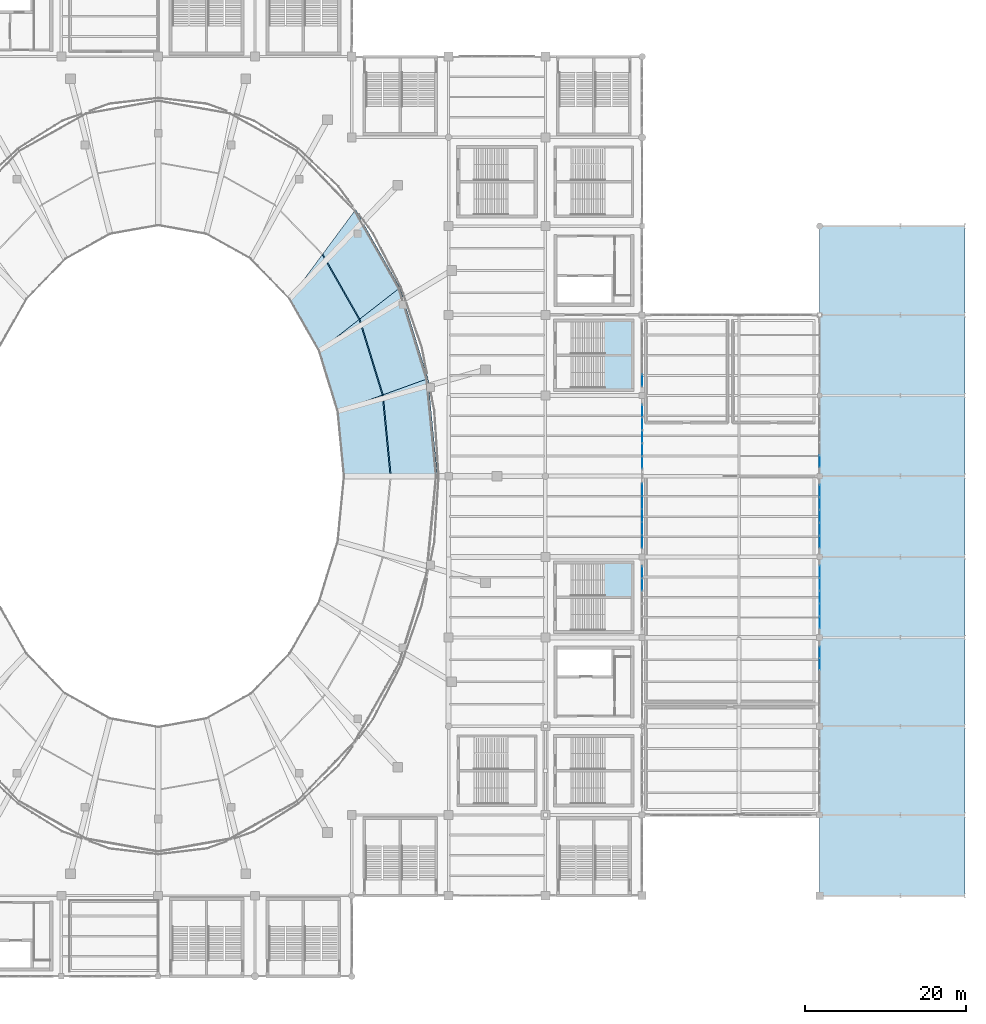
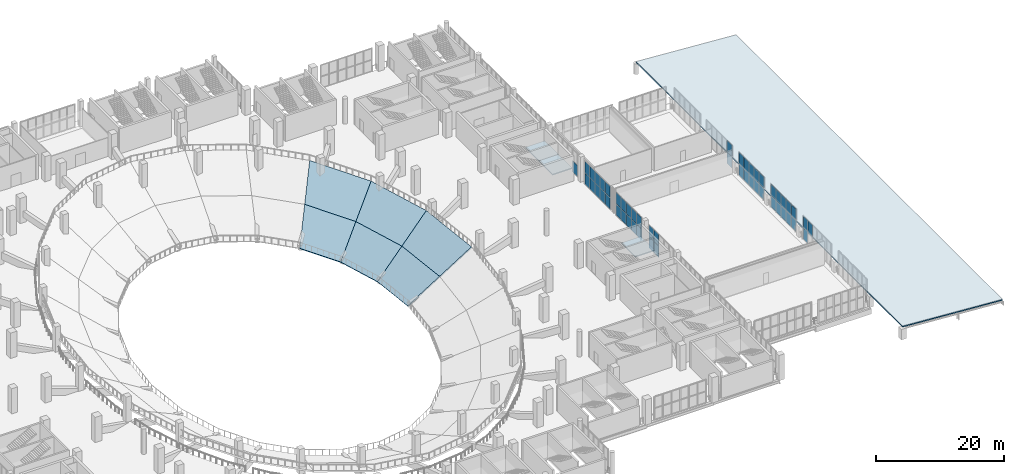
# One storey, part 102 of 136: 50 plates, 10 slabs, 11 elements without a shape of their own.
"""IFC4 building model written with IfcOpenShell, lengths in metres."""

from ifc_helpers import new_model, si_unit, direction, frame, origin, origin_2d, place, context, subcontext, project, spatial, polyline, rectangle, outline, extrude, material, layer, layer_set, type_object, element, aggregate, save


model = new_model("IFC4")

# Units and contexts
model_context = context("Model", 3, precision=1e-05, world=origin(), true_north=direction((0.0, 1.0)))
body_context = subcontext(model_context, "Body", "Model", "MODEL_VIEW")
ifc_project = project(units=[si_unit("LENGTHUNIT", "METRE"), si_unit("AREAUNIT", "SQUARE_METRE"), si_unit("VOLUMEUNIT", "CUBIC_METRE"), si_unit("PLANEANGLEUNIT", "RADIAN"), si_unit("MASSUNIT", "GRAM", prefix="KILO")], contexts=[model_context])

# Site, building, storey
site_placement = place(None, origin())
site = spatial("IfcSite", under=ifc_project, at=site_placement, CompositionType="ELEMENT")
building_placement = place(site_placement, origin())
building = spatial("IfcBuilding", under=site, at=building_placement, Name="Brinegate Civic Arena", CompositionType="ELEMENT")
storey_placement = place(building_placement, frame((0.0, 0.0, 5.39990234375)))
storey = spatial("IfcBuildingStorey", under=building, at=storey_placement, Name="L01", CompositionType="ELEMENT", Elevation=5.39990234375)

# Curtain wall, plates
ifc_material_1 = material(Name="Marine grade aluminium", Category="aluminium")
ifc_layer_1 = layer(ifc_material_1, 0.18505859375, Name="Marine grade aluminium")
ifc_layer_set_1 = layer_set([ifc_layer_1], Name="Marine grade aluminium")
curtain_wall_type_1 = type_object("IfcCurtainWallType", Name="CW-WING-GLAZED-03", PredefinedType="USERDEFINED", material=ifc_layer_set_1)
curtain_wall_1_placement = place(storey_placement, origin())
curtain_wall_1 = element("IfcCurtainWall", 1, at=curtain_wall_1_placement, inside=storey, type_object=curtain_wall_type_1, Name="Curtain Wall CWA-034", ObjectType="GLAZED CURTAIN WALL", PredefinedType="USERDEFINED")
ifc_material_2 = material(Name="Hurricane laminated low-E glass", Category="glass")
ifc_layer_2 = layer(ifc_material_2, 0.028076171875, Name="Hurricane laminated low-E glass")
ifc_layer_set_2 = layer_set([ifc_layer_2], Name="Hurricane laminated low-E glass")
plate_type_1 = type_object("IfcPlateType", Name="CW-PANEL-GLAZED-28", PredefinedType="CURTAIN_PANEL", material=ifc_layer_set_2)
plate_1_placement = place(storey_placement, frame((190.0, 38.718994140625, 2.267578125), z_axis=(0.0, 0.0, 1.0), x_axis=(0.0, 1.0, 0.0)))
plate_1 = element("IfcPlate", 2, at=plate_1_placement, type_object=plate_type_1, Name="CWA-034 panel 5.2", PredefinedType="CURTAIN_PANEL", context=body_context, shape_type="SweptSolid", body=[
    extrude(rectangle(XDim=1.40234375, YDim=0.028076171875, at=origin_2d()), origin(), (0.0, 0.0, 1.0), 2.137451171875),
])
plate_2_placement = place(storey_placement, frame((190.0, 40.170166015625, 0.06494140625), z_axis=(0.0, 0.0, 1.0), x_axis=(0.0, 1.0, 0.0)))
plate_2 = element("IfcPlate", 3, at=plate_2_placement, type_object=plate_type_1, Name="CWA-034 panel 6.1", PredefinedType="CURTAIN_PANEL", context=body_context, shape_type="SweptSolid", body=[
    extrude(rectangle(XDim=1.369873046875, YDim=0.028076171875, at=origin_2d()), origin(), (0.0, 0.0, 1.0), 2.137451171875),
])
plate_3_placement = place(storey_placement, frame((190.0, 40.170166015625, 2.267578125), z_axis=(0.0, 0.0, 1.0), x_axis=(0.0, 1.0, 0.0)))
plate_3 = element("IfcPlate", 4, at=plate_3_placement, type_object=plate_type_1, Name="CWA-034 panel 6.2", PredefinedType="CURTAIN_PANEL", context=body_context, shape_type="SweptSolid", body=[
    extrude(rectangle(XDim=1.369873046875, YDim=0.028076171875, at=origin_2d()), origin(), (0.0, 0.0, 1.0), 2.137451171875),
])
aggregate(curtain_wall_1, [plate_1, plate_2, plate_3])

curtain_wall_2_placement = place(storey_placement, origin())
curtain_wall_2 = element("IfcCurtainWall", 5, at=curtain_wall_2_placement, inside=storey, type_object=curtain_wall_type_1, Name="Curtain Wall CWA-035", ObjectType="GLAZED CURTAIN WALL", PredefinedType="USERDEFINED")
ifc_layer_3 = layer(ifc_material_2, 0.031982421875, Name="Hurricane laminated low-E glass")
ifc_layer_set_3 = layer_set([ifc_layer_3], Name="Hurricane laminated low-E glass")
plate_type_2 = type_object("IfcPlateType", Name="CW-PANEL-GLAZED-32", PredefinedType="CURTAIN_PANEL", material=ifc_layer_set_3)
plate_4_placement = place(storey_placement, frame((190.0, 43.8837890625, 0.074951171875), z_axis=(0.0, 0.0, 1.0), x_axis=(0.0, 1.0, 0.0)))
plate_4 = element("IfcPlate", 6, at=plate_4_placement, type_object=plate_type_2, Name="CWA-035 panel 1.1", PredefinedType="CURTAIN_PANEL", context=body_context, shape_type="SweptSolid", body=[
    extrude(rectangle(XDim=1.4775390625, YDim=0.031982421875, at=origin_2d()), origin(), (0.0, 0.0, 1.0), 2.12255859375),
])
plate_5_placement = place(storey_placement, frame((190.0, 43.8837890625, 2.2724609375), z_axis=(0.0, 0.0, 1.0), x_axis=(0.0, 1.0, 0.0)))
plate_5 = element("IfcPlate", 7, at=plate_5_placement, type_object=plate_type_2, Name="CWA-035 panel 1.2", PredefinedType="CURTAIN_PANEL", context=body_context, shape_type="SweptSolid", body=[
    extrude(rectangle(XDim=1.4775390625, YDim=0.031982421875, at=origin_2d()), origin(), (0.0, 0.0, 1.0), 2.12255859375),
])
plate_6_placement = place(storey_placement, frame((190.0, 45.4423828125, 0.074951171875), z_axis=(0.0, 0.0, 1.0), x_axis=(0.0, 1.0, 0.0)))
plate_6 = element("IfcPlate", 8, at=plate_6_placement, type_object=plate_type_2, Name="CWA-035 panel 2.1", PredefinedType="CURTAIN_PANEL", context=body_context, shape_type="SweptSolid", body=[
    extrude(rectangle(XDim=1.510009765625, YDim=0.031982421875, at=origin_2d()), origin(), (0.0, 0.0, 1.0), 2.12255859375),
])
plate_7_placement = place(storey_placement, frame((190.0, 45.4423828125, 2.2724609375), z_axis=(0.0, 0.0, 1.0), x_axis=(0.0, 1.0, 0.0)))
plate_7 = element("IfcPlate", 9, at=plate_7_placement, type_object=plate_type_2, Name="CWA-035 panel 2.2", PredefinedType="CURTAIN_PANEL", context=body_context, shape_type="SweptSolid", body=[
    extrude(rectangle(XDim=1.510009765625, YDim=0.031982421875, at=origin_2d()), origin(), (0.0, 0.0, 1.0), 2.12255859375),
])
plate_8_placement = place(storey_placement, frame((190.0, 47.017578125, 0.074951171875), z_axis=(0.0, 0.0, 1.0), x_axis=(0.0, 1.0, 0.0)))
plate_8 = element("IfcPlate", 10, at=plate_8_placement, type_object=plate_type_2, Name="CWA-035 panel 3.1", PredefinedType="CURTAIN_PANEL", context=body_context, shape_type="SweptSolid", body=[
    extrude(rectangle(XDim=1.510009765625, YDim=0.031982421875, at=origin_2d()), origin(), (0.0, 0.0, 1.0), 2.12255859375),
])
plate_9_placement = place(storey_placement, frame((190.0, 47.017578125, 2.2724609375), z_axis=(0.0, 0.0, 1.0), x_axis=(0.0, 1.0, 0.0)))
plate_9 = element("IfcPlate", 11, at=plate_9_placement, type_object=plate_type_2, Name="CWA-035 panel 3.2", PredefinedType="CURTAIN_PANEL", context=body_context, shape_type="SweptSolid", body=[
    extrude(rectangle(XDim=1.510009765625, YDim=0.031982421875, at=origin_2d()), origin(), (0.0, 0.0, 1.0), 2.12255859375),
])
plate_10_placement = place(storey_placement, frame((190.0, 48.592529296875, 0.074951171875), z_axis=(0.0, 0.0, 1.0), x_axis=(0.0, 1.0, 0.0)))
plate_10 = element("IfcPlate", 12, at=plate_10_placement, type_object=plate_type_2, Name="CWA-035 panel 4.1", PredefinedType="CURTAIN_PANEL", context=body_context, shape_type="SweptSolid", body=[
    extrude(rectangle(XDim=1.510009765625, YDim=0.031982421875, at=origin_2d()), origin(), (0.0, 0.0, 1.0), 2.12255859375),
])
plate_11_placement = place(storey_placement, frame((190.0, 48.592529296875, 2.2724609375), z_axis=(0.0, 0.0, 1.0), x_axis=(0.0, 1.0, 0.0)))
plate_11 = element("IfcPlate", 13, at=plate_11_placement, type_object=plate_type_2, Name="CWA-035 panel 4.2", PredefinedType="CURTAIN_PANEL", context=body_context, shape_type="SweptSolid", body=[
    extrude(rectangle(XDim=1.510009765625, YDim=0.031982421875, at=origin_2d()), origin(), (0.0, 0.0, 1.0), 2.12255859375),
])
plate_12_placement = place(storey_placement, frame((190.0, 50.1513671875, 0.074951171875), z_axis=(0.0, 0.0, 1.0), x_axis=(0.0, 1.0, 0.0)))
plate_12 = element("IfcPlate", 14, at=plate_12_placement, type_object=plate_type_2, Name="CWA-035 panel 5.1", PredefinedType="CURTAIN_PANEL", context=body_context, shape_type="SweptSolid", body=[
    extrude(rectangle(XDim=1.4775390625, YDim=0.031982421875, at=origin_2d()), origin(), (0.0, 0.0, 1.0), 2.12255859375),
])
plate_13_placement = place(storey_placement, frame((190.0, 50.1513671875, 2.2724609375), z_axis=(0.0, 0.0, 1.0), x_axis=(0.0, 1.0, 0.0)))
plate_13 = element("IfcPlate", 15, at=plate_13_placement, type_object=plate_type_2, Name="CWA-035 panel 5.2", PredefinedType="CURTAIN_PANEL", context=body_context, shape_type="SweptSolid", body=[
    extrude(rectangle(XDim=1.4775390625, YDim=0.031982421875, at=origin_2d()), origin(), (0.0, 0.0, 1.0), 2.12255859375),
])
aggregate(curtain_wall_2, [plate_4, plate_5, plate_6, plate_7, plate_8, plate_9, plate_10, plate_11, plate_12, plate_13])

ifc_layer_4 = layer(ifc_material_1, 0.199951171875, Name="Marine grade aluminium")
ifc_layer_set_4 = layer_set([ifc_layer_4], Name="Marine grade aluminium")
curtain_wall_type_2 = type_object("IfcCurtainWallType", Name="CW-BOWL-GLAZED-01", PredefinedType="USERDEFINED", material=ifc_layer_set_4)
curtain_wall_3_placement = place(storey_placement, origin())
curtain_wall_3 = element("IfcCurtainWall", 16, at=curtain_wall_3_placement, inside=storey, type_object=curtain_wall_type_2, Name="Curtain Wall CWA-051", ObjectType="GLAZED CURTAIN WALL", PredefinedType="USERDEFINED")
plate_14_placement = place(storey_placement, frame((168.0, 53.904052734375, 0.06494140625), z_axis=(0.0, 0.0, 1.0), x_axis=(0.0, 1.0, 0.0)))
plate_14 = element("IfcPlate", 17, at=plate_14_placement, type_object=plate_type_2, Name="CWA-051 panel 1.1", PredefinedType="CURTAIN_PANEL", context=body_context, shape_type="SweptSolid", body=[
    extrude(rectangle(XDim=1.51806640625, YDim=0.031982421875, at=origin_2d()), origin(), (0.0, 0.0, 1.0), 2.137451171875),
])
plate_15_placement = place(storey_placement, frame((168.0, 53.904052734375, 2.267578125), z_axis=(0.0, 0.0, 1.0), x_axis=(0.0, 1.0, 0.0)))
plate_15 = element("IfcPlate", 18, at=plate_15_placement, type_object=plate_type_2, Name="CWA-051 panel 1.2", PredefinedType="CURTAIN_PANEL", context=body_context, shape_type="SweptSolid", body=[
    extrude(rectangle(XDim=1.51806640625, YDim=0.031982421875, at=origin_2d()), origin(), (0.0, 0.0, 1.0), 2.137451171875),
])
plate_16_placement = place(storey_placement, frame((168.0, 55.50341796875, 0.06494140625), z_axis=(0.0, 0.0, 1.0), x_axis=(0.0, 1.0, 0.0)))
plate_16 = element("IfcPlate", 19, at=plate_16_placement, type_object=plate_type_2, Name="CWA-051 panel 2.1", PredefinedType="CURTAIN_PANEL", context=body_context, shape_type="SweptSolid", body=[
    extrude(rectangle(XDim=1.550537109375, YDim=0.031982421875, at=origin_2d()), origin(), (0.0, 0.0, 1.0), 2.137451171875),
])
plate_17_placement = place(storey_placement, frame((168.0, 55.50341796875, 2.267578125), z_axis=(0.0, 0.0, 1.0), x_axis=(0.0, 1.0, 0.0)))
plate_17 = element("IfcPlate", 20, at=plate_17_placement, type_object=plate_type_2, Name="CWA-051 panel 2.2", PredefinedType="CURTAIN_PANEL", context=body_context, shape_type="SweptSolid", body=[
    extrude(rectangle(XDim=1.550537109375, YDim=0.031982421875, at=origin_2d()), origin(), (0.0, 0.0, 1.0), 2.137451171875),
])
plate_18_placement = place(storey_placement, frame((168.0, 57.118896484375, 0.06494140625), z_axis=(0.0, 0.0, 1.0), x_axis=(0.0, 1.0, 0.0)))
plate_18 = element("IfcPlate", 21, at=plate_18_placement, type_object=plate_type_2, Name="CWA-051 panel 3.1", PredefinedType="CURTAIN_PANEL", context=body_context, shape_type="SweptSolid", body=[
    extrude(rectangle(XDim=1.550537109375, YDim=0.031982421875, at=origin_2d()), origin(), (0.0, 0.0, 1.0), 2.137451171875),
])
plate_19_placement = place(storey_placement, frame((168.0, 57.118896484375, 2.267578125), z_axis=(0.0, 0.0, 1.0), x_axis=(0.0, 1.0, 0.0)))
plate_19 = element("IfcPlate", 22, at=plate_19_placement, type_object=plate_type_2, Name="CWA-051 panel 3.2", PredefinedType="CURTAIN_PANEL", context=body_context, shape_type="SweptSolid", body=[
    extrude(rectangle(XDim=1.550537109375, YDim=0.031982421875, at=origin_2d()), origin(), (0.0, 0.0, 1.0), 2.137451171875),
])
plate_20_placement = place(storey_placement, frame((168.0, 58.734619140625, 0.06494140625), z_axis=(0.0, 0.0, 1.0), x_axis=(0.0, 1.0, 0.0)))
plate_20 = element("IfcPlate", 23, at=plate_20_placement, type_object=plate_type_2, Name="CWA-051 panel 4.1", PredefinedType="CURTAIN_PANEL", context=body_context, shape_type="SweptSolid", body=[
    extrude(rectangle(XDim=1.550537109375, YDim=0.031982421875, at=origin_2d()), origin(), (0.0, 0.0, 1.0), 2.137451171875),
])
plate_21_placement = place(storey_placement, frame((168.0, 58.734619140625, 2.267578125), z_axis=(0.0, 0.0, 1.0), x_axis=(0.0, 1.0, 0.0)))
plate_21 = element("IfcPlate", 24, at=plate_21_placement, type_object=plate_type_2, Name="CWA-051 panel 4.2", PredefinedType="CURTAIN_PANEL", context=body_context, shape_type="SweptSolid", body=[
    extrude(rectangle(XDim=1.550537109375, YDim=0.031982421875, at=origin_2d()), origin(), (0.0, 0.0, 1.0), 2.137451171875),
])
plate_22_placement = place(storey_placement, frame((168.0, 60.333984375, 0.06494140625), z_axis=(0.0, 0.0, 1.0), x_axis=(0.0, 1.0, 0.0)))
plate_22 = element("IfcPlate", 25, at=plate_22_placement, type_object=plate_type_2, Name="CWA-051 panel 5.1", PredefinedType="CURTAIN_PANEL", context=body_context, shape_type="SweptSolid", body=[
    extrude(rectangle(XDim=1.51806640625, YDim=0.031982421875, at=origin_2d()), origin(), (0.0, 0.0, 1.0), 2.137451171875),
])
plate_23_placement = place(storey_placement, frame((168.0, 60.333984375, 2.267578125), z_axis=(0.0, 0.0, 1.0), x_axis=(0.0, 1.0, 0.0)))
plate_23 = element("IfcPlate", 26, at=plate_23_placement, type_object=plate_type_2, Name="CWA-051 panel 5.2", PredefinedType="CURTAIN_PANEL", context=body_context, shape_type="SweptSolid", body=[
    extrude(rectangle(XDim=1.51806640625, YDim=0.031982421875, at=origin_2d()), origin(), (0.0, 0.0, 1.0), 2.137451171875),
])
aggregate(curtain_wall_3, [plate_14, plate_15, plate_16, plate_17, plate_18, plate_19, plate_20, plate_21, plate_22, plate_23])

# Curtain wall, plate
curtain_wall_4_placement = place(storey_placement, origin())
curtain_wall_4 = element("IfcCurtainWall", 27, at=curtain_wall_4_placement, inside=storey, type_object=curtain_wall_type_2, Name="Curtain Wall CWA-055", ObjectType="GLAZED CURTAIN WALL", PredefinedType="USERDEFINED")
plate_24_placement = place(storey_placement, frame((168.0, 73.88037109375, 0.06494140625), z_axis=(0.0, 0.0, 1.0), x_axis=(0.0, 1.0, 0.0)))
plate_24 = element("IfcPlate", 28, at=plate_24_placement, type_object=plate_type_2, Name="CWA-055 panel 1.1", PredefinedType="CURTAIN_PANEL", context=body_context, shape_type="SweptSolid", body=[
    extrude(rectangle(XDim=1.470458984375, YDim=0.031982421875, at=origin_2d()), origin(), (0.0, 0.0, 1.0), 2.137451171875),
])
aggregate(curtain_wall_4, [plate_24])

# Curtain wall, plates
curtain_wall_5_placement = place(storey_placement, origin())
curtain_wall_5 = element("IfcCurtainWall", 29, at=curtain_wall_5_placement, inside=storey, type_object=curtain_wall_type_1, Name="Curtain Wall CWA-036", ObjectType="GLAZED CURTAIN WALL", PredefinedType="USERDEFINED")
ifc_layer_5 = layer(ifc_material_2, 0.035888671875, Name="Hurricane laminated low-E glass")
ifc_layer_set_5 = layer_set([ifc_layer_5], Name="Hurricane laminated low-E glass")
plate_type_3 = type_object("IfcPlateType", Name="CW-PANEL-GLAZED-36", PredefinedType="CURTAIN_PANEL", material=ifc_layer_set_5)
plate_25_placement = place(storey_placement, frame((190.0, 53.858154296875, 0.06494140625), z_axis=(0.0, 0.0, 1.0), x_axis=(0.0, 1.0, 0.0)))
plate_25 = element("IfcPlate", 30, at=plate_25_placement, type_object=plate_type_3, Name="CWA-036 panel 1.1", PredefinedType="CURTAIN_PANEL", context=body_context, shape_type="SweptSolid", body=[
    extrude(rectangle(XDim=1.4765625, YDim=0.035888671875, at=origin_2d()), origin(), (0.0, 0.0, 1.0), 2.137451171875),
])
plate_26_placement = place(storey_placement, frame((190.0, 53.858154296875, 2.267578125), z_axis=(0.0, 0.0, 1.0), x_axis=(0.0, 1.0, 0.0)))
plate_26 = element("IfcPlate", 31, at=plate_26_placement, type_object=plate_type_3, Name="CWA-036 panel 1.2", PredefinedType="CURTAIN_PANEL", context=body_context, shape_type="SweptSolid", body=[
    extrude(rectangle(XDim=1.4765625, YDim=0.035888671875, at=origin_2d()), origin(), (0.0, 0.0, 1.0), 2.137451171875),
])
plate_27_placement = place(storey_placement, frame((190.0, 55.428466796875, 0.06494140625), z_axis=(0.0, 0.0, 1.0), x_axis=(0.0, 1.0, 0.0)))
plate_27 = element("IfcPlate", 32, at=plate_27_placement, type_object=plate_type_3, Name="CWA-036 panel 2.1", PredefinedType="CURTAIN_PANEL", context=body_context, shape_type="SweptSolid", body=[
    extrude(rectangle(XDim=1.513916015625, YDim=0.035888671875, at=origin_2d()), origin(), (0.0, 0.0, 1.0), 2.137451171875),
])
plate_28_placement = place(storey_placement, frame((190.0, 55.428466796875, 2.267578125), z_axis=(0.0, 0.0, 1.0), x_axis=(0.0, 1.0, 0.0)))
plate_28 = element("IfcPlate", 33, at=plate_28_placement, type_object=plate_type_3, Name="CWA-036 panel 2.2", PredefinedType="CURTAIN_PANEL", context=body_context, shape_type="SweptSolid", body=[
    extrude(rectangle(XDim=1.513916015625, YDim=0.035888671875, at=origin_2d()), origin(), (0.0, 0.0, 1.0), 2.137451171875),
])
plate_29_placement = place(storey_placement, frame((190.0, 57.017578125, 0.06494140625), z_axis=(0.0, 0.0, 1.0), x_axis=(0.0, 1.0, 0.0)))
plate_29 = element("IfcPlate", 34, at=plate_29_placement, type_object=plate_type_3, Name="CWA-036 panel 3.1", PredefinedType="CURTAIN_PANEL", context=body_context, shape_type="SweptSolid", body=[
    extrude(rectangle(XDim=1.513916015625, YDim=0.035888671875, at=origin_2d()), origin(), (0.0, 0.0, 1.0), 2.137451171875),
])
plate_30_placement = place(storey_placement, frame((190.0, 57.017578125, 2.267578125), z_axis=(0.0, 0.0, 1.0), x_axis=(0.0, 1.0, 0.0)))
plate_30 = element("IfcPlate", 35, at=plate_30_placement, type_object=plate_type_3, Name="CWA-036 panel 3.2", PredefinedType="CURTAIN_PANEL", context=body_context, shape_type="SweptSolid", body=[
    extrude(rectangle(XDim=1.513916015625, YDim=0.035888671875, at=origin_2d()), origin(), (0.0, 0.0, 1.0), 2.137451171875),
])
plate_31_placement = place(storey_placement, frame((190.0, 58.6064453125, 0.06494140625), z_axis=(0.0, 0.0, 1.0), x_axis=(0.0, 1.0, 0.0)))
plate_31 = element("IfcPlate", 36, at=plate_31_placement, type_object=plate_type_3, Name="CWA-036 panel 4.1", PredefinedType="CURTAIN_PANEL", context=body_context, shape_type="SweptSolid", body=[
    extrude(rectangle(XDim=1.513916015625, YDim=0.035888671875, at=origin_2d()), origin(), (0.0, 0.0, 1.0), 2.137451171875),
])
plate_32_placement = place(storey_placement, frame((190.0, 58.6064453125, 2.267578125), z_axis=(0.0, 0.0, 1.0), x_axis=(0.0, 1.0, 0.0)))
plate_32 = element("IfcPlate", 37, at=plate_32_placement, type_object=plate_type_3, Name="CWA-036 panel 4.2", PredefinedType="CURTAIN_PANEL", context=body_context, shape_type="SweptSolid", body=[
    extrude(rectangle(XDim=1.513916015625, YDim=0.035888671875, at=origin_2d()), origin(), (0.0, 0.0, 1.0), 2.137451171875),
])
plate_33_placement = place(storey_placement, frame((190.0, 60.1767578125, 0.06494140625), z_axis=(0.0, 0.0, 1.0), x_axis=(0.0, 1.0, 0.0)))
plate_33 = element("IfcPlate", 38, at=plate_33_placement, type_object=plate_type_3, Name="CWA-036 panel 5.1", PredefinedType="CURTAIN_PANEL", context=body_context, shape_type="SweptSolid", body=[
    extrude(rectangle(XDim=1.4765625, YDim=0.035888671875, at=origin_2d()), origin(), (0.0, 0.0, 1.0), 2.137451171875),
])
plate_34_placement = place(storey_placement, frame((190.0, 60.1767578125, 2.267578125), z_axis=(0.0, 0.0, 1.0), x_axis=(0.0, 1.0, 0.0)))
plate_34 = element("IfcPlate", 39, at=plate_34_placement, type_object=plate_type_3, Name="CWA-036 panel 5.2", PredefinedType="CURTAIN_PANEL", context=body_context, shape_type="SweptSolid", body=[
    extrude(rectangle(XDim=1.4765625, YDim=0.035888671875, at=origin_2d()), origin(), (0.0, 0.0, 1.0), 2.137451171875),
])
aggregate(curtain_wall_5, [plate_25, plate_26, plate_27, plate_28, plate_29, plate_30, plate_31, plate_32, plate_33, plate_34])

curtain_wall_6_placement = place(storey_placement, origin())
curtain_wall_6 = element("IfcCurtainWall", 40, at=curtain_wall_6_placement, inside=storey, type_object=curtain_wall_type_1, Name="Curtain Wall CWA-037", ObjectType="GLAZED CURTAIN WALL", PredefinedType="USERDEFINED")
ifc_layer_6 = layer(ifc_material_2, 0.0419921875, Name="Hurricane laminated low-E glass")
ifc_layer_set_6 = layer_set([ifc_layer_6], Name="Hurricane laminated low-E glass")
plate_type_4 = type_object("IfcPlateType", Name="CW-PANEL-SPANDREL-42", PredefinedType="CURTAIN_PANEL", material=ifc_layer_set_6)
plate_35_placement = place(storey_placement, frame((190.0, 63.83154296875, 0.06494140625), z_axis=(0.0, 0.0, 1.0), x_axis=(0.0, 1.0, 0.0)))
plate_35 = element("IfcPlate", 41, at=plate_35_placement, type_object=plate_type_4, Name="CWA-037 panel 1.1", PredefinedType="CURTAIN_PANEL", context=body_context, shape_type="SweptSolid", body=[
    extrude(rectangle(XDim=1.483154296875, YDim=0.0419921875, at=origin_2d()), origin(), (0.0, 0.0, 1.0), 2.137451171875),
])
plate_36_placement = place(storey_placement, frame((190.0, 63.83154296875, 2.267578125), z_axis=(0.0, 0.0, 1.0), x_axis=(0.0, 1.0, 0.0)))
plate_36 = element("IfcPlate", 42, at=plate_36_placement, type_object=plate_type_4, Name="CWA-037 panel 1.2", PredefinedType="CURTAIN_PANEL", context=body_context, shape_type="SweptSolid", body=[
    extrude(rectangle(XDim=1.483154296875, YDim=0.0419921875, at=origin_2d()), origin(), (0.0, 0.0, 1.0), 2.137451171875),
])
aggregate(curtain_wall_6, [plate_35, plate_36])

curtain_wall_7_placement = place(storey_placement, origin())
curtain_wall_7 = element("IfcCurtainWall", 43, at=curtain_wall_7_placement, inside=storey, type_object=curtain_wall_type_2, Name="Curtain Wall CWA-049", ObjectType="GLAZED CURTAIN WALL", PredefinedType="USERDEFINED")
plate_37_placement = place(storey_placement, frame((168.0, 48.568115234375, 0.06494140625), z_axis=(0.0, 0.0, 1.0), x_axis=(0.0, 1.0, 0.0)))
plate_37 = element("IfcPlate", 44, at=plate_37_placement, type_object=plate_type_4, Name="CWA-049 panel 4.1", PredefinedType="CURTAIN_PANEL", context=body_context, shape_type="SweptSolid", body=[
    extrude(rectangle(XDim=1.488037109375, YDim=0.0419921875, at=origin_2d()), origin(), (0.0, 0.0, 1.0), 2.137451171875),
])
plate_38_placement = place(storey_placement, frame((168.0, 48.568115234375, 2.267578125), z_axis=(0.0, 0.0, 1.0), x_axis=(0.0, 1.0, 0.0)))
plate_38 = element("IfcPlate", 45, at=plate_38_placement, type_object=plate_type_4, Name="CWA-049 panel 4.2", PredefinedType="CURTAIN_PANEL", context=body_context, shape_type="SweptSolid", body=[
    extrude(rectangle(XDim=1.488037109375, YDim=0.0419921875, at=origin_2d()), origin(), (0.0, 0.0, 1.0), 2.137451171875),
])
plate_39_placement = place(storey_placement, frame((168.0, 50.115966796875, 0.06494140625), z_axis=(0.0, 0.0, 1.0), x_axis=(0.0, 1.0, 0.0)))
plate_39 = element("IfcPlate", 46, at=plate_39_placement, type_object=plate_type_4, Name="CWA-049 panel 5.1", PredefinedType="CURTAIN_PANEL", context=body_context, shape_type="SweptSolid", body=[
    extrude(rectangle(XDim=1.447998046875, YDim=0.0419921875, at=origin_2d()), origin(), (0.0, 0.0, 1.0), 2.137451171875),
])
plate_40_placement = place(storey_placement, frame((168.0, 50.115966796875, 2.267578125), z_axis=(0.0, 0.0, 1.0), x_axis=(0.0, 1.0, 0.0)))
plate_40 = element("IfcPlate", 47, at=plate_40_placement, type_object=plate_type_4, Name="CWA-049 panel 5.2", PredefinedType="CURTAIN_PANEL", context=body_context, shape_type="SweptSolid", body=[
    extrude(rectangle(XDim=1.447998046875, YDim=0.0419921875, at=origin_2d()), origin(), (0.0, 0.0, 1.0), 2.137451171875),
])
aggregate(curtain_wall_7, [plate_37, plate_38, plate_39, plate_40])

curtain_wall_8_placement = place(storey_placement, origin())
curtain_wall_8 = element("IfcCurtainWall", 48, at=curtain_wall_8_placement, inside=storey, type_object=curtain_wall_type_2, Name="Curtain Wall CWA-053", ObjectType="GLAZED CURTAIN WALL", PredefinedType="USERDEFINED")
plate_41_placement = place(storey_placement, frame((168.0, 63.669921875, 0.074951171875), z_axis=(0.0, 0.0, 1.0), x_axis=(0.0, 1.0, 0.0)))
plate_41 = element("IfcPlate", 49, at=plate_41_placement, type_object=plate_type_4, Name="CWA-053 panel 1.1", PredefinedType="CURTAIN_PANEL", context=body_context, shape_type="SweptSolid", body=[
    extrude(rectangle(XDim=1.49560546875, YDim=0.0419921875, at=origin_2d()), origin(), (0.0, 0.0, 1.0), 2.12255859375),
])
plate_42_placement = place(storey_placement, frame((168.0, 63.669921875, 2.2724609375), z_axis=(0.0, 0.0, 1.0), x_axis=(0.0, 1.0, 0.0)))
plate_42 = element("IfcPlate", 50, at=plate_42_placement, type_object=plate_type_4, Name="CWA-053 panel 1.2", PredefinedType="CURTAIN_PANEL", context=body_context, shape_type="SweptSolid", body=[
    extrude(rectangle(XDim=1.49560546875, YDim=0.0419921875, at=origin_2d()), origin(), (0.0, 0.0, 1.0), 2.12255859375),
])
plate_43_placement = place(storey_placement, frame((168.0, 65.265380859375, 0.074951171875), z_axis=(0.0, 0.0, 1.0), x_axis=(0.0, 1.0, 0.0)))
plate_43 = element("IfcPlate", 51, at=plate_43_placement, type_object=plate_type_4, Name="CWA-053 panel 2.1", PredefinedType="CURTAIN_PANEL", context=body_context, shape_type="SweptSolid", body=[
    extrude(rectangle(XDim=1.53564453125, YDim=0.0419921875, at=origin_2d()), origin(), (0.0, 0.0, 1.0), 2.12255859375),
])
plate_44_placement = place(storey_placement, frame((168.0, 65.265380859375, 2.2724609375), z_axis=(0.0, 0.0, 1.0), x_axis=(0.0, 1.0, 0.0)))
plate_44 = element("IfcPlate", 52, at=plate_44_placement, type_object=plate_type_4, Name="CWA-053 panel 2.2", PredefinedType="CURTAIN_PANEL", context=body_context, shape_type="SweptSolid", body=[
    extrude(rectangle(XDim=1.53564453125, YDim=0.0419921875, at=origin_2d()), origin(), (0.0, 0.0, 1.0), 2.12255859375),
])
plate_45_placement = place(storey_placement, frame((168.0, 66.881103515625, 0.074951171875), z_axis=(0.0, 0.0, 1.0), x_axis=(0.0, 1.0, 0.0)))
plate_45 = element("IfcPlate", 53, at=plate_45_placement, type_object=plate_type_4, Name="CWA-053 panel 3.1", PredefinedType="CURTAIN_PANEL", context=body_context, shape_type="SweptSolid", body=[
    extrude(rectangle(XDim=1.53564453125, YDim=0.0419921875, at=origin_2d()), origin(), (0.0, 0.0, 1.0), 2.12255859375),
])
plate_46_placement = place(storey_placement, frame((168.0, 66.881103515625, 2.2724609375), z_axis=(0.0, 0.0, 1.0), x_axis=(0.0, 1.0, 0.0)))
plate_46 = element("IfcPlate", 54, at=plate_46_placement, type_object=plate_type_4, Name="CWA-053 panel 3.2", PredefinedType="CURTAIN_PANEL", context=body_context, shape_type="SweptSolid", body=[
    extrude(rectangle(XDim=1.53564453125, YDim=0.0419921875, at=origin_2d()), origin(), (0.0, 0.0, 1.0), 2.12255859375),
])
plate_47_placement = place(storey_placement, frame((168.0, 68.49658203125, 0.074951171875), z_axis=(0.0, 0.0, 1.0), x_axis=(0.0, 1.0, 0.0)))
plate_47 = element("IfcPlate", 55, at=plate_47_placement, type_object=plate_type_4, Name="CWA-053 panel 4.1", PredefinedType="CURTAIN_PANEL", context=body_context, shape_type="SweptSolid", body=[
    extrude(rectangle(XDim=1.53564453125, YDim=0.0419921875, at=origin_2d()), origin(), (0.0, 0.0, 1.0), 2.12255859375),
])
plate_48_placement = place(storey_placement, frame((168.0, 68.49658203125, 2.2724609375), z_axis=(0.0, 0.0, 1.0), x_axis=(0.0, 1.0, 0.0)))
plate_48 = element("IfcPlate", 56, at=plate_48_placement, type_object=plate_type_4, Name="CWA-053 panel 4.2", PredefinedType="CURTAIN_PANEL", context=body_context, shape_type="SweptSolid", body=[
    extrude(rectangle(XDim=1.53564453125, YDim=0.0419921875, at=origin_2d()), origin(), (0.0, 0.0, 1.0), 2.12255859375),
])
plate_49_placement = place(storey_placement, frame((168.0, 70.09228515625, 0.074951171875), z_axis=(0.0, 0.0, 1.0), x_axis=(0.0, 1.0, 0.0)))
plate_49 = element("IfcPlate", 57, at=plate_49_placement, type_object=plate_type_4, Name="CWA-053 panel 5.1", PredefinedType="CURTAIN_PANEL", context=body_context, shape_type="SweptSolid", body=[
    extrude(rectangle(XDim=1.49560546875, YDim=0.0419921875, at=origin_2d()), origin(), (0.0, 0.0, 1.0), 2.12255859375),
])
plate_50_placement = place(storey_placement, frame((168.0, 70.09228515625, 2.2724609375), z_axis=(0.0, 0.0, 1.0), x_axis=(0.0, 1.0, 0.0)))
plate_50 = element("IfcPlate", 58, at=plate_50_placement, type_object=plate_type_4, Name="CWA-053 panel 5.2", PredefinedType="CURTAIN_PANEL", context=body_context, shape_type="SweptSolid", body=[
    extrude(rectangle(XDim=1.49560546875, YDim=0.0419921875, at=origin_2d()), origin(), (0.0, 0.0, 1.0), 2.12255859375),
])
aggregate(curtain_wall_8, [plate_41, plate_42, plate_43, plate_44, plate_45, plate_46, plate_47, plate_48, plate_49, plate_50])

# Stair, slab
ifc_material_3 = material(Name="Concrete C40/50", Category="concrete")
stair_type_1 = type_object("IfcStairType", Name="STAIR-EXIT-3850", PredefinedType="HALF_TURN_STAIR", material=ifc_material_3)
stair_1_placement = place(storey_placement, origin())
stair_1 = element("IfcStair", 59, at=stair_1_placement, inside=storey, type_object=stair_type_1, Name="Protected Exit Stair ST-09A (L01)", PredefinedType="HALF_TURN_STAIR")
ifc_layer_7 = layer(ifc_material_3, 0.199951171875, Name="Concrete C40/50")
ifc_layer_set_7 = layer_set([ifc_layer_7], Name="Concrete C40/50")
slab_type_1 = type_object("IfcSlabType", Name="SLAB-LANDING-200", PredefinedType="LANDING", material=ifc_layer_set_7)
slab_1_placement = place(storey_placement, frame((0.0, 0.0, 2.2001953125)))
slab_1 = element("IfcSlab", 60, at=slab_1_placement, type_object=slab_type_1, Name="ST-09A landing 1", PredefinedType="LANDING", context=body_context, shape_type="SweptSolid", body=[
    extrude(outline(polyline([(163.2900390625, 72.7451171875), (166.800048828125, 72.7451171875), (166.800048828125, 77.0048828125), (163.2900390625, 77.0048828125), (163.2900390625, 72.7451171875)])), origin(), (0.0, 0.0, 1.0), 0.199951171875),
])
aggregate(stair_1, [slab_1])

stair_type_2 = type_object("IfcStairType", Name="STAIR-EXIT-3700", PredefinedType="HALF_TURN_STAIR", material=ifc_material_3)
stair_2_placement = place(storey_placement, origin())
stair_2 = element("IfcStair", 61, at=stair_2_placement, inside=storey, type_object=stair_type_2, Name="Protected Exit Stair ST-09B (L01)", PredefinedType="HALF_TURN_STAIR")
slab_2_placement = place(storey_placement, frame((0.0, 0.0, 2.2001953125)))
slab_2 = element("IfcSlab", 62, at=slab_2_placement, type_object=slab_type_1, Name="ST-09B landing 1", PredefinedType="LANDING", context=body_context, shape_type="SweptSolid", body=[
    extrude(outline(polyline([(163.2900390625, 76.9951171875), (166.800048828125, 76.9951171875), (166.800048828125, 81.2548828125), (163.2900390625, 81.2548828125), (163.2900390625, 76.9951171875)])), origin(), (0.0, 0.0, 1.0), 0.199951171875),
])
aggregate(stair_2, [slab_2])

stair_3_placement = place(storey_placement, origin())
stair_3 = element("IfcStair", 63, at=stair_3_placement, inside=storey, type_object=stair_type_2, Name="Protected Exit Stair ST-10B (L01)", PredefinedType="HALF_TURN_STAIR")
slab_3_placement = place(storey_placement, frame((0.0, 0.0, 2.2001953125)))
slab_3 = element("IfcSlab", 64, at=slab_3_placement, type_object=slab_type_1, Name="ST-10B landing 1", PredefinedType="LANDING", context=body_context, shape_type="SweptSolid", body=[
    extrude(outline(polyline([(163.2900390625, 46.9951171875), (166.800048828125, 46.9951171875), (166.800048828125, 51.27490234375), (163.2900390625, 51.27490234375), (163.2900390625, 46.9951171875)])), origin(), (0.0, 0.0, 1.0), 0.199951171875),
])
aggregate(stair_3, [slab_3])

# Slabs
ifc_layer_8 = layer(ifc_material_3, 0.199951171875, Name="Concrete C40/50")
ifc_layer_set_8 = layer_set([ifc_layer_8], Name="Concrete C40/50")
slab_type_2 = type_object("IfcSlabType", Name="SLAB-ROOF-WING-200", PredefinedType="ROOF", material=ifc_layer_set_8)
slab_4_placement = place(storey_placement, frame((190.0, 10.0, 2.2001953125), z_axis=(0.066529789268, 0.0, 0.997784439215), x_axis=(0.997784439215, 0.0, -0.066529789268)))
element("IfcSlab", 65, at=slab_4_placement, inside=storey, type_object=slab_type_2, Name="Sloped Roof Slab SLAB-ROOF-EDOCK", PredefinedType="ROOF", context=body_context, shape_type="SweptSolid", body=[
    extrude(outline(polyline([(0.0, 0.0), (18.039968647094344, 0.0), (18.039968647094344, 83.0), (0.0, 83.0), (0.0, 0.0)])), origin(), (0.0, 0.0, -1.0), 0.199951171875),
])
ifc_material_4 = material(Name="Precast concrete C45/55", Category="concrete")
ifc_layer_9 = layer(ifc_material_4, 0.260009765625, Name="Precast concrete C45/55")
ifc_layer_set_9 = layer_set([ifc_layer_9], Name="Precast concrete C45/55")
slab_type_3 = type_object("IfcSlabType", Name="SLAB-TIER-LWR-260", PredefinedType="USERDEFINED", material=ifc_layer_set_9)
slab_5_placement = place(storey_placement, frame((131.0, 62.0, -4.7998046875), z_axis=(-0.529937750367, -0.051699324139, 0.846459190168), x_axis=(-0.097094240795, 0.995275192297, 1.360058e-06)))
element("IfcSlab", 66, at=slab_5_placement, inside=storey, type_object=slab_type_3, Name="Stand Lower Tier Bay A01", ObjectType="SEATING TIER", PredefinedType="USERDEFINED", context=body_context, shape_type="SweptSolid", body=[
    extrude(outline(polyline([(0.0, 0.0), (8.074036269936794, 0.0), (9.53432502179602, -6.760853016896017), (-0.5582869885640032, -6.760899420357436), (0.0, 0.0)])), origin(), (0.0, 0.0, -1.0), 0.260009765625),
])
slab_6_placement = place(storey_placement, frame((136.75, 62.0, -1.199951171875), z_axis=(-0.529963142235, -0.051704149597, 0.846442997955), x_axis=(-0.097099352791, 0.995274693583, 8.90235e-07)))
element("IfcSlab", 67, at=slab_6_placement, inside=storey, type_object=slab_type_3, Name="Stand Lower Tier Bay B01", ObjectType="SEATING TIER", PredefinedType="USERDEFINED", context=body_context, shape_type="SweptSolid", body=[
    extrude(outline(polyline([(0.0, 0.0), (10.092612010469455, -2.220446049250313e-16), (11.552869677525202, -6.760989727940588), (-0.5583180736146289, -6.761026849754357), (0.0, 0.0)])), origin(), (0.0, 0.0, -1.0), 0.260009765625),
])
slab_7_placement = place(storey_placement, frame((130.216064453125, 70.035888671875, -4.7998046875), z_axis=(-0.498029193277, -0.152782927776, 0.853594927131), x_axis=(-0.293257170523, 0.956033593358, 1.754859e-05)))
element("IfcSlab", 68, at=slab_7_placement, inside=storey, type_object=slab_type_3, Name="Stand Lower Tier Bay A02", ObjectType="SEATING TIER", PredefinedType="USERDEFINED", context=body_context, shape_type="SweptSolid", body=[
    extrude(outline(polyline([(0.0, 0.0), (7.8333953109632946, 2.220446049250313e-16), (10.08379522598445, -6.909999271197158), (0.2920292532901173, -6.910593002364919), (0.0, 0.0)])), origin(), (0.0, 0.0, -1.0), 0.260009765625),
])
slab_8_placement = place(storey_placement, frame((135.77001953125, 72.044921875, -1.199951171875), z_axis=(-0.498016099992, -0.152779329189, 0.853603210351), x_axis=(-0.293306852387, 0.956018352416, -1.3697409e-05)))
element("IfcSlab", 69, at=slab_8_placement, inside=storey, type_object=slab_type_3, Name="Stand Lower Tier Bay B02", ObjectType="SEATING TIER", PredefinedType="USERDEFINED", context=body_context, shape_type="SweptSolid", body=[
    extrude(outline(polyline([(0.0, 0.0), (9.791765990758659, 4.440892098500626e-16), (12.042394082745066, -6.9113043272248404), (0.2916102185260994, -6.910737877491016), (0.0, 0.0)])), origin(), (0.0, 0.0, -1.0), 0.260009765625),
])
slab_9_placement = place(storey_placement, frame((127.9189453125, 77.52490234375, -4.7998046875), z_axis=(-0.434070193559, -0.246725000014, 0.866435134001), x_axis=(-0.49419393362, 0.869351686719, -2.7770693e-05)))
element("IfcSlab", 70, at=slab_9_placement, inside=storey, type_object=slab_type_3, Name="Stand Lower Tier Bay A03", ObjectType="SEATING TIER", PredefinedType="USERDEFINED", context=body_context, shape_type="SweptSolid", body=[
    extrude(outline(polyline([(0.0, 0.0), (7.397709054571206, 4.440892098500626e-16), (10.160019730645262, -7.210515265661114), (0.9133503912743516, -7.209589498573793), (0.0, 0.0)])), origin(), (0.0, 0.0, -1.0), 0.260009765625),
])
slab_10_placement = place(storey_placement, frame((132.89794921875, 81.406005859375, -1.199951171875), z_axis=(-0.434073549562, -0.246730488204, 0.866431889857), x_axis=(-0.494119870017, 0.869393785021, 2.4914979e-05)))
element("IfcSlab", 71, at=slab_10_placement, inside=storey, type_object=slab_type_3, Name="Stand Lower Tier Bay B03", ObjectType="SEATING TIER", PredefinedType="USERDEFINED", context=body_context, shape_type="SweptSolid", body=[
    extrude(outline(polyline([(0.0, 0.0), (9.246669384931355, 8.881784197001252e-16), (12.008973577928838, -7.209758584839435), (0.9144386873300931, -7.210773616822032), (0.0, 0.0)])), origin(), (0.0, 0.0, -1.0), 0.260009765625),
])

save(model, "model.ifc")
